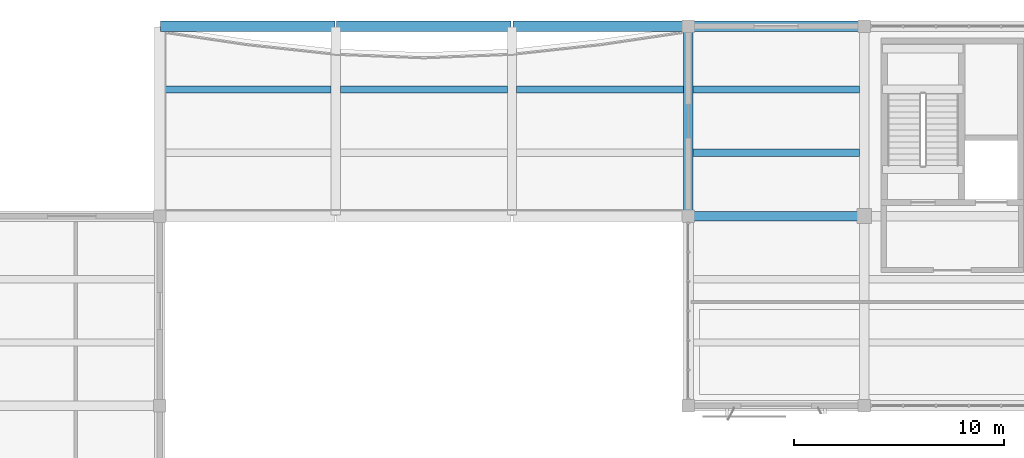
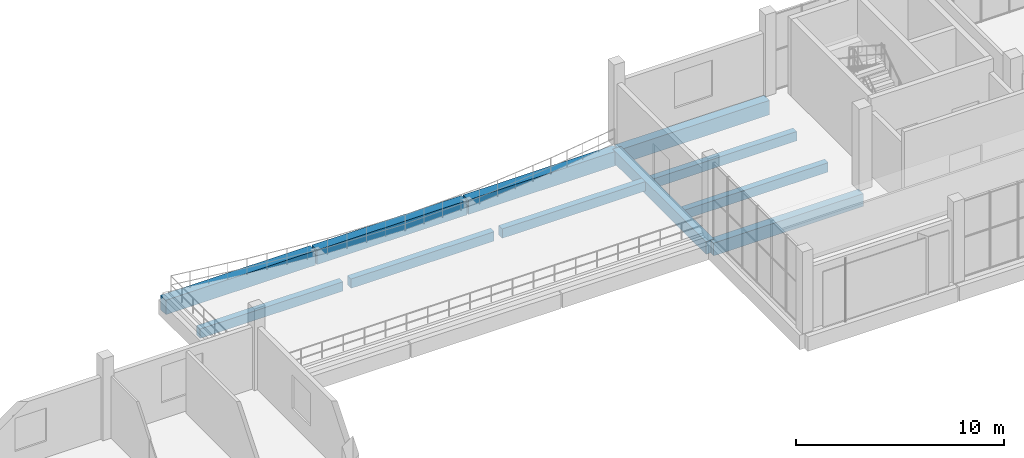
# One storey, part 29 of 80: 11 beams.
"""IFC4 building model written with IfcOpenShell, lengths in metres."""

from ifc_helpers import new_model, si_unit, direction, frame, origin, origin_2d, place, context, subcontext, project, spatial, rectangle, extrude, material, material_profile, profile_set, type_object, element, save


model = new_model("IFC4")

# Units and contexts
model_context = context("Model", 3, precision=1e-05, world=origin(), true_north=direction((0.0, 1.0)))
body_context = subcontext(model_context, "Body", "Model", "MODEL_VIEW")
ifc_project = project(units=[si_unit("LENGTHUNIT", "METRE"), si_unit("AREAUNIT", "SQUARE_METRE"), si_unit("VOLUMEUNIT", "CUBIC_METRE"), si_unit("PLANEANGLEUNIT", "RADIAN"), si_unit("MASSUNIT", "GRAM", prefix="KILO")], contexts=[model_context])

# Site, building, storey
site_placement = place(None, origin())
site = spatial("IfcSite", under=ifc_project, at=site_placement, CompositionType="ELEMENT")
building_placement = place(site_placement, origin())
building = spatial("IfcBuilding", under=site, at=building_placement, Name="Khurvash Pelagic Aquarium", CompositionType="ELEMENT")
storey_placement = place(building_placement, frame((0.0, 0.0, 10.800048828125)))
storey = spatial("IfcBuildingStorey", under=building, at=storey_placement, Name="L02", CompositionType="ELEMENT", Elevation=10.800048828125)

# Beams
ifc_material_1 = material(Name="Concrete C35/45", Category="concrete")
ifc_material_profile_1 = material_profile(ifc_material_1, rectangle(XDim=0.449951171875, YDim=0.75, at=origin_2d()), Name="RC450X750")
ifc_profile_set_1 = profile_set([ifc_material_profile_1], Name="Concrete C35/45")
beam_type_1 = type_object("IfcBeamType", Name="BM-04", PredefinedType="BEAM", material=ifc_profile_set_1)
beam_1_placement = place(storey_placement, frame((58.840087890625, 93.10009765625, -0.695068359375), z_axis=(1.0, 0.0, 0.0), x_axis=(0.0, 1.0, 0.0)))
element("IfcBeam", 1, at=beam_1_placement, inside=storey, type_object=beam_type_1, Name="L02 Primary Girder BM-04 00632", PredefinedType="BEAM", context=body_context, shape_type="SweptSolid", body=[
    extrude(rectangle(XDim=0.449951171875, YDim=0.75, at=origin_2d()), origin(), (0.0, 0.0, 1.0), 8.31982421875),
])
beam_2_placement = place(storey_placement, frame((58.800048828125, 93.139892578125, -0.675048828125), z_axis=(0.0, 1.0, 0.0), x_axis=(-1.0, 0.0, 0.0)))
element("IfcBeam", 2, at=beam_2_placement, inside=storey, type_object=beam_type_1, Name="L02 Primary Girder BM-04 00685", PredefinedType="BEAM", context=body_context, shape_type="SweptSolid", body=[
    extrude(rectangle(XDim=0.449951171875, YDim=0.75, at=origin_2d()), origin(), (0.0, 0.0, 1.0), 8.97021484375),
])
ifc_material_profile_2 = material_profile(ifc_material_1, rectangle(XDim=0.35009765625, YDim=0.550048828125, at=origin_2d()), Name="RC350X550")
ifc_profile_set_2 = profile_set([ifc_material_profile_2], Name="Concrete C35/45")
beam_type_2 = type_object("IfcBeamType", Name="JS-01", PredefinedType="JOIST", material=ifc_profile_set_2)
beam_3_placement = place(storey_placement, frame((33.85009765625, 99.133056640625, -0.574951171875), z_axis=(1.0, 0.0, 0.0), x_axis=(0.0, 1.0, 0.0)))
element("IfcBeam", 3, at=beam_3_placement, inside=storey, type_object=beam_type_2, Name="L02 Floor Joist JS-01 00756", PredefinedType="JOIST", context=body_context, shape_type="SweptSolid", body=[
    extrude(rectangle(XDim=0.35009765625, YDim=0.550048828125, at=origin_2d()), origin(), (0.0, 0.0, 1.0), 7.9248046875),
])
for number, where, z_axis, x_axis, name in (
    (4, (42.22509765625, 99.133056640625, -0.574951171875), (1.0, 0.0, 0.0), (0.0, 1.0, 0.0), "L02 Floor Joist JS-01 00764"),
    (5, (50.625, 99.133056640625, -0.574951171875), (1.0, 0.0, 0.0), (0.0, 1.0, 0.0), "L02 Floor Joist JS-01 00772"),
):
    element("IfcBeam", number, at=place(storey_placement, frame(where, z_axis=z_axis, x_axis=x_axis)), inside=storey, type_object=beam_type_2, Name=name, PredefinedType="JOIST", context=body_context, shape_type="SweptSolid", body=[
        extrude(rectangle(XDim=0.35009765625, YDim=0.550048828125, at=origin_2d()), origin(), (0.0, 0.0, 1.0), 7.949951171875),
    ])
for number, where, z_axis, x_axis, name in (
    (6, (59.02490234375, 96.116943359375, -0.574951171875), (1.0, 0.0, 0.0), (0.0, 1.0, 0.0), "L02 Floor Joist JS-01 00779"),
    (7, (59.02490234375, 99.133056640625, -0.574951171875), (1.0, 0.0, 0.0), (0.0, 1.0, 0.0), "L02 Floor Joist JS-01 00780"),
):
    element("IfcBeam", number, at=place(storey_placement, frame(where, z_axis=z_axis, x_axis=x_axis)), inside=storey, type_object=beam_type_2, Name=name, PredefinedType="JOIST", context=body_context, shape_type="SweptSolid", body=[
        extrude(rectangle(XDim=0.35009765625, YDim=0.550048828125, at=origin_2d()), origin(), (0.0, 0.0, 1.0), 7.9501953125),
    ])
ifc_material_2 = material(Name="Concrete C40/50", Category="concrete")
ifc_material_profile_3 = material_profile(ifc_material_2, rectangle(XDim=0.5, YDim=0.85009765625, at=origin_2d()), Name="RC500X850")
ifc_profile_set_3 = profile_set([ifc_material_profile_3], Name="Concrete C40/50")
beam_type_3 = type_object("IfcBeamType", Name="SEB-03", PredefinedType="SPANDREL", material=ifc_profile_set_3)
for number, where, z_axis, x_axis, name in (
    (8, (33.639892578125, 102.14990234375, -0.7451171875), (1.0, 0.0, 0.0), (0.0, 1.0, 0.0), "L02 Primary Girder SEB-03 00639"),
    (9, (42.0400390625, 102.14990234375, -0.7451171875), (1.0, 0.0, 0.0), (0.0, 1.0, 0.0), "L02 Primary Girder SEB-03 00640"),
    (10, (50.43994140625, 102.14990234375, -0.7451171875), (1.0, 0.0, 0.0), (0.0, 1.0, 0.0), "L02 Primary Girder SEB-03 00641"),
):
    element("IfcBeam", number, at=place(storey_placement, frame(where, z_axis=z_axis, x_axis=x_axis)), inside=storey, type_object=beam_type_3, Name=name, PredefinedType="SPANDREL", context=body_context, shape_type="SweptSolid", body=[
        extrude(rectangle(XDim=0.5, YDim=0.85009765625, at=origin_2d()), origin(), (0.0, 0.0, 1.0), 8.320068359375),
    ])
beam_4_placement = place(storey_placement, frame((58.840087890625, 102.14990234375, -0.7451171875), z_axis=(1.0, 0.0, 0.0), x_axis=(0.0, 1.0, 0.0)))
element("IfcBeam", 11, at=beam_4_placement, inside=storey, type_object=beam_type_3, Name="L02 Primary Girder SEB-03 00642", PredefinedType="SPANDREL", context=body_context, shape_type="SweptSolid", body=[
    extrude(rectangle(XDim=0.5, YDim=0.85009765625, at=origin_2d()), origin(), (0.0, 0.0, 1.0), 8.31982421875),
])

save(model, "model.ifc")
